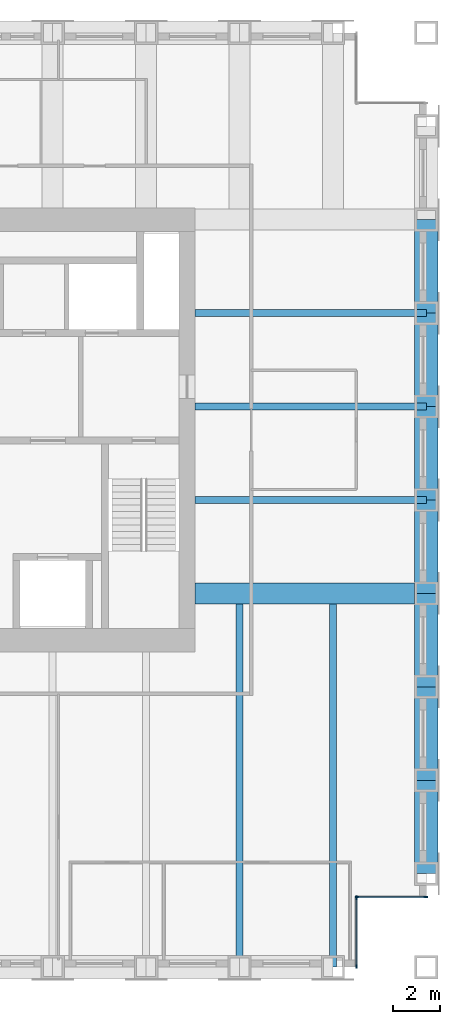
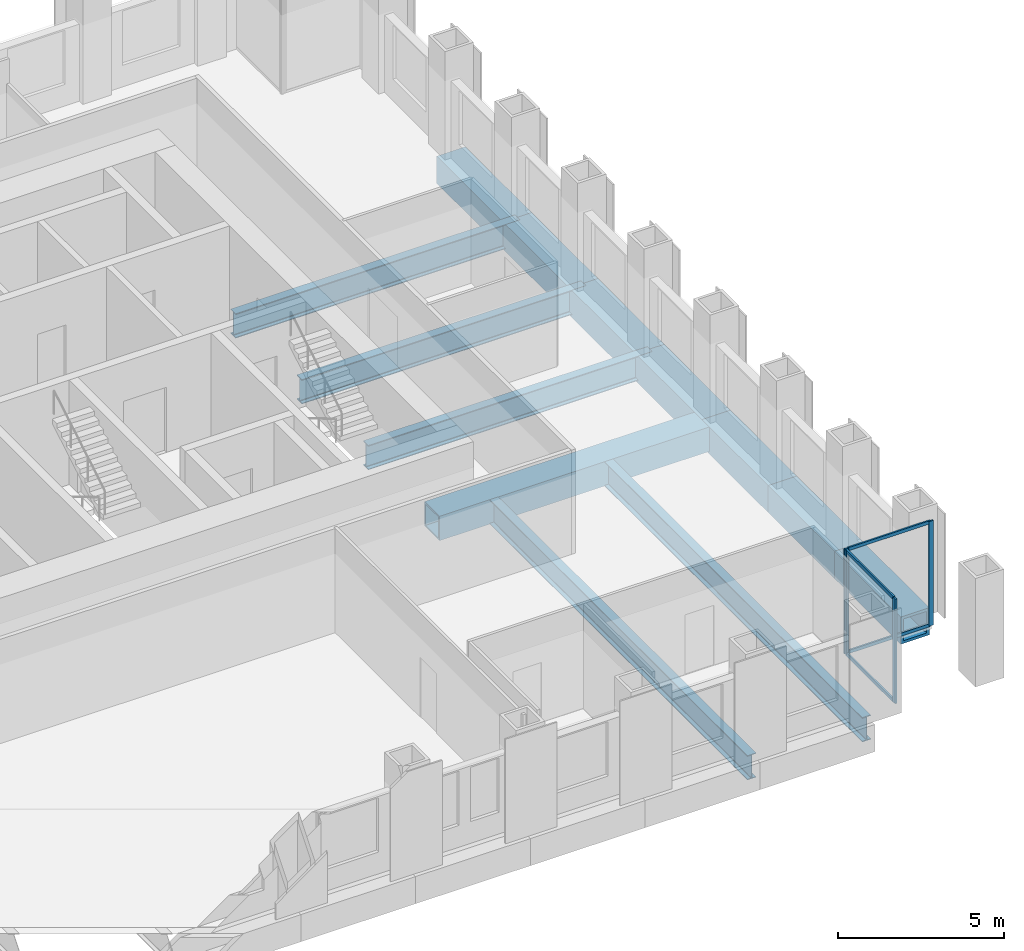
# One storey, part 4 of 11: 13 beams, 8 members, 2 elements without a shape of their own.
"""IFC4 building model written with IfcOpenShell, lengths in metres."""

from ifc_helpers import new_model, si_unit, direction, frame, origin, origin_2d, place, context, subcontext, project, spatial, rectangle, hollow_rectangle, i_section, extrude, material, material_profile, profile_set, type_object, element, aggregate, save


model = new_model("IFC4")

# Units and contexts
model_context = context("Model", 3, precision=1e-05, world=origin(), true_north=direction((0.0, 1.0)))
body_context = subcontext(model_context, "Body", "Model", "MODEL_VIEW")
ifc_project = project(units=[si_unit("LENGTHUNIT", "METRE"), si_unit("AREAUNIT", "SQUARE_METRE"), si_unit("VOLUMEUNIT", "CUBIC_METRE"), si_unit("PLANEANGLEUNIT", "RADIAN"), si_unit("MASSUNIT", "GRAM", prefix="KILO")], contexts=[model_context])

# Site, building, storey
site_placement = place(None, origin())
site = spatial("IfcSite", under=ifc_project, at=site_placement, CompositionType="ELEMENT")
building_placement = place(site_placement, origin())
building = spatial("IfcBuilding", under=site, at=building_placement, Name="Rimbunsela Tower", CompositionType="ELEMENT")
storey_placement = place(building_placement, frame((0.0, 0.0, 278.199951171875)))
storey = spatial("IfcBuildingStorey", under=building, at=storey_placement, Name="L67", CompositionType="ELEMENT", Elevation=278.199951171875)

# Beams
ifc_material_1 = material(Name="Steel BJ 55 (fy 410 MPa)", Category="steel")
ifc_material_profile_1 = material_profile(ifc_material_1, hollow_rectangle(XDim=1.0, YDim=1.0, WallThickness=0.10009765625, at=origin_2d()), Name="BOX 1000x1000x100")
ifc_profile_set_1 = profile_set([ifc_material_profile_1], Name="Steel BJ 55 (fy 410 MPa)")
beam_type_1 = type_object("IfcBeamType", Name="Beam BOX 1000x1000x100", PredefinedType="BEAM", material=ifc_profile_set_1)
for number, where, z_axis, x_axis, name in (
    (1, (46.0, 8.0, -0.64990234375), (0.0, 1.0, 0.0), (-1.0, 0.0, 0.0), "Beam B3 L67"),
    (2, (46.0, 12.0, -0.64990234375), (0.0, 1.0, 0.0), (-1.0, 0.0, 0.0), "Beam B3 L67"),
    (3, (46.0, 16.0, -0.64990234375), (0.0, 1.0, 0.0), (-1.0, 0.0, 0.0), "Beam B3 L67"),
    (4, (46.0, 20.0, -0.64990234375), (0.0, 1.0, 0.0), (-1.0, 0.0, 0.0), "Beam B3 L67"),
    (5, (46.0, 24.0, -0.64990234375), (0.0, 1.0, 0.0), (-1.0, 0.0, 0.0), "Beam B3 L67"),
    (6, (46.0, 28.0, -0.64990234375), (0.0, 1.0, 0.0), (-1.0, 0.0, 0.0), "Beam B3 L67"),
    (7, (46.0, 32.0, -0.64990234375), (0.0, 1.0, 0.0), (-1.0, 0.0, 0.0), "Beam B3 L67"),
):
    element("IfcBeam", number, at=place(storey_placement, frame(where, z_axis=z_axis, x_axis=x_axis)), inside=storey, type_object=beam_type_1, Name=name, PredefinedType="BEAM", context=body_context, shape_type="SweptSolid", body=[
        extrude(hollow_rectangle(XDim=1.0, YDim=1.0, WallThickness=0.10009765625, at=origin_2d()), origin(), (0.0, 0.0, 1.0), 4.0),
    ])
ifc_material_2 = material(Name="Steel BJ 55 (fy 410 MPa)", Category="steel")
ifc_material_profile_2 = material_profile(ifc_material_2, hollow_rectangle(XDim=0.89990234375, YDim=0.89990234375, WallThickness=0.06005859375, at=origin_2d()), Name="BOX 900x900x60")
ifc_profile_set_2 = profile_set([ifc_material_profile_2], Name="Steel BJ 55 (fy 410 MPa)")
beam_type_2 = type_object("IfcBeamType", Name="Beam BOX 900x900x60", PredefinedType="BEAM", material=ifc_profile_set_2)
beam_placement = place(storey_placement, frame((36.10009765625, 20.0, -0.599853515625), z_axis=(1.0, 0.0, 0.0), x_axis=(0.0, 1.0, 0.0)))
element("IfcBeam", 8, at=beam_placement, inside=storey, type_object=beam_type_2, Name="Beam B1 L67", PredefinedType="BEAM", context=body_context, shape_type="SweptSolid", body=[
    extrude(hollow_rectangle(XDim=0.89990234375, YDim=0.89990234375, WallThickness=0.06005859375, at=origin_2d()), origin(), (0.0, 0.0, 1.0), 9.89990234375),
])
ifc_material_3 = material(Name="Steel BJ 55 (fy 410 MPa)", Category="steel")
ifc_material_profile_3 = material_profile(ifc_material_3, i_section(OverallWidth=0.300048828125, OverallDepth=0.89990234375, WebThickness=0.01611328125, FlangeThickness=0.028076171875, FilletRadius=0.028076171875, at=origin_2d()), Name="H 900x300x16x28")
ifc_profile_set_3 = profile_set([ifc_material_profile_3], Name="Steel BJ 55 (fy 410 MPa)")
beam_type_3 = type_object("IfcBeamType", Name="Beam H 900x300x16x28", PredefinedType="BEAM", material=ifc_profile_set_3)
for number, where, z_axis, x_axis, name in (
    (9, (36.10009765625, 24.0, -0.599853515625), (1.0, 0.0, 0.0), (0.0, 1.0, 0.0), "Beam B2 L67"),
    (10, (36.10009765625, 28.0, -0.599853515625), (1.0, 0.0, 0.0), (0.0, 1.0, 0.0), "Beam B2 L67"),
    (11, (36.10009765625, 32.0, -0.599853515625), (1.0, 0.0, 0.0), (0.0, 1.0, 0.0), "Beam B2 L67"),
):
    element("IfcBeam", number, at=place(storey_placement, frame(where, z_axis=z_axis, x_axis=x_axis)), inside=storey, type_object=beam_type_3, Name=name, PredefinedType="BEAM", context=body_context, shape_type="SweptSolid", body=[
        extrude(i_section(OverallWidth=0.300048828125, OverallDepth=0.89990234375, WebThickness=0.01611328125, FlangeThickness=0.028076171875, FilletRadius=0.028076171875, at=origin_2d()), origin(), (0.0, 0.0, 1.0), 9.89990234375),
    ])
for number, where, z_axis, x_axis, name in (
    (12, (38.0, 4.0, -0.599853515625), (0.0, 1.0, 0.0), (-1.0, 0.0, 0.0), "Beam B2 L67"),
    (13, (42.0, 4.0, -0.599853515625), (0.0, 1.0, 0.0), (-1.0, 0.0, 0.0), "Beam B2 L67"),
):
    element("IfcBeam", number, at=place(storey_placement, frame(where, z_axis=z_axis, x_axis=x_axis)), inside=storey, type_object=beam_type_3, Name=name, PredefinedType="BEAM", context=body_context, shape_type="SweptSolid", body=[
        extrude(i_section(OverallWidth=0.300048828125, OverallDepth=0.89990234375, WebThickness=0.01611328125, FlangeThickness=0.028076171875, FilletRadius=0.028076171875, at=origin_2d()), origin(), (0.0, 0.0, 1.0), 15.550048828125),
    ])

# Curtain wall, members
ifc_material_4 = material(Name="Aluminium curtain wall", Category="aluminium")
curtain_wall_type = type_object("IfcCurtainWallType", Name="Corner glazing", PredefinedType="USERDEFINED", material=ifc_material_4)
curtain_wall_1_placement = place(storey_placement, origin())
curtain_wall_1 = element("IfcCurtainWall", 14, at=curtain_wall_1_placement, inside=storey, type_object=curtain_wall_type, Name="Corner glazing L67", ObjectType="CORNER GLAZING", PredefinedType="USERDEFINED")
ifc_material_5 = material(Name="Aluminium mullion", Category="aluminium")
ifc_material_profile_4 = material_profile(ifc_material_5, rectangle(XDim=0.06005859375, YDim=0.159912109375, at=origin_2d()), Name="Mullion 60x160")
ifc_profile_set_4 = profile_set([ifc_material_profile_4], Name="Aluminium mullion")
member_type_1 = type_object("IfcMemberType", Name="Curtain wall mullion 60x160", PredefinedType="MULLION", material=ifc_profile_set_4)
member_1_placement = place(storey_placement, frame((43.0, 4.030029296875, 0.0), z_axis=(0.0, 0.0, 1.0), x_axis=(-1.0, 0.0, 0.0)))
member_1 = element("IfcMember", 15, at=member_1_placement, type_object=member_type_1, Name="CW5 mullion 1", PredefinedType="MULLION", context=body_context, shape_type="SweptSolid", body=[
    extrude(rectangle(XDim=0.06005859375, YDim=0.159912109375, at=origin_2d()), origin(), (0.0, 0.0, 1.0), 3.85009765625),
])
member_2_placement = place(storey_placement, frame((43.0, 6.969970703125, 0.0), z_axis=(0.0, 0.0, 1.0), x_axis=(-1.0, 0.0, 0.0)))
member_2 = element("IfcMember", 16, at=member_2_placement, type_object=member_type_1, Name="CW5 mullion 2", PredefinedType="MULLION", context=body_context, shape_type="SweptSolid", body=[
    extrude(rectangle(XDim=0.06005859375, YDim=0.159912109375, at=origin_2d()), origin(), (0.0, 0.0, 1.0), 3.85009765625),
])

curtain_wall_2_placement = place(storey_placement, origin())
curtain_wall_2 = element("IfcCurtainWall", 17, at=curtain_wall_2_placement, inside=storey, type_object=curtain_wall_type, Name="Corner glazing L67", ObjectType="CORNER GLAZING", PredefinedType="USERDEFINED")
member_3_placement = place(storey_placement, frame((43.030029296875, 7.0, 0.0), z_axis=(0.0, 0.0, 1.0), x_axis=(0.0, 1.0, 0.0)))
member_3 = element("IfcMember", 18, at=member_3_placement, type_object=member_type_1, Name="CW5 mullion 1", PredefinedType="MULLION", context=body_context, shape_type="SweptSolid", body=[
    extrude(rectangle(XDim=0.06005859375, YDim=0.159912109375, at=origin_2d()), origin(), (0.0, 0.0, 1.0), 3.85009765625),
])
member_4_placement = place(storey_placement, frame((45.969970703125, 7.0, 0.0), z_axis=(0.0, 0.0, 1.0), x_axis=(0.0, 1.0, 0.0)))
member_4 = element("IfcMember", 19, at=member_4_placement, type_object=member_type_1, Name="CW5 mullion 2", PredefinedType="MULLION", context=body_context, shape_type="SweptSolid", body=[
    extrude(rectangle(XDim=0.06005859375, YDim=0.159912109375, at=origin_2d()), origin(), (0.0, 0.0, 1.0), 3.85009765625),
])

# Member
ifc_material_6 = material(Name="Aluminium transom", Category="aluminium")
ifc_material_profile_5 = material_profile(ifc_material_6, rectangle(XDim=0.06005859375, YDim=0.1201171875, at=origin_2d()), Name="Transom 60x120")
ifc_profile_set_5 = profile_set([ifc_material_profile_5], Name="Aluminium transom")
member_type_2 = type_object("IfcMemberType", Name="Curtain wall transom 60x120", PredefinedType="USERDEFINED", material=ifc_profile_set_5)
member_5_placement = place(storey_placement, frame((43.0, 4.06005859375, 0.030029296875), z_axis=(0.0, 1.0, 0.0), x_axis=(-1.0, 0.0, 0.0)))
member_5 = element("IfcMember", 20, at=member_5_placement, type_object=member_type_2, Name="CW5 transom 1.1", ObjectType="TRANSOM", PredefinedType="USERDEFINED", context=body_context, shape_type="SweptSolid", body=[
    extrude(rectangle(XDim=0.06005859375, YDim=0.1201171875, at=origin_2d()), origin(), (0.0, 0.0, 1.0), 2.8798828125),
])

member_6_placement = place(storey_placement, frame((43.0, 4.06005859375, 3.820068359375), z_axis=(0.0, 1.0, 0.0), x_axis=(-1.0, 0.0, 0.0)))
member_6 = element("IfcMember", 21, at=member_6_placement, type_object=member_type_2, Name="CW5 transom 1.2", ObjectType="TRANSOM", PredefinedType="USERDEFINED", context=body_context, shape_type="SweptSolid", body=[
    extrude(rectangle(XDim=0.06005859375, YDim=0.1201171875, at=origin_2d()), origin(), (0.0, 0.0, 1.0), 2.8798828125),
])

aggregate(curtain_wall_1, [member_1, member_2, member_5, member_6])

member_7_placement = place(storey_placement, frame((43.06005859375, 7.0, 0.030029296875), z_axis=(1.0, 0.0, 0.0), x_axis=(0.0, 1.0, 0.0)))
member_7 = element("IfcMember", 22, at=member_7_placement, type_object=member_type_2, Name="CW5 transom 1.1", ObjectType="TRANSOM", PredefinedType="USERDEFINED", context=body_context, shape_type="SweptSolid", body=[
    extrude(rectangle(XDim=0.06005859375, YDim=0.1201171875, at=origin_2d()), origin(), (0.0, 0.0, 1.0), 2.8798828125),
])

member_8_placement = place(storey_placement, frame((43.06005859375, 7.0, 3.820068359375), z_axis=(1.0, 0.0, 0.0), x_axis=(0.0, 1.0, 0.0)))
member_8 = element("IfcMember", 23, at=member_8_placement, type_object=member_type_2, Name="CW5 transom 1.2", ObjectType="TRANSOM", PredefinedType="USERDEFINED", context=body_context, shape_type="SweptSolid", body=[
    extrude(rectangle(XDim=0.06005859375, YDim=0.1201171875, at=origin_2d()), origin(), (0.0, 0.0, 1.0), 2.8798828125),
])

aggregate(curtain_wall_2, [member_3, member_4, member_7, member_8])

save(model, "model.ifc")
